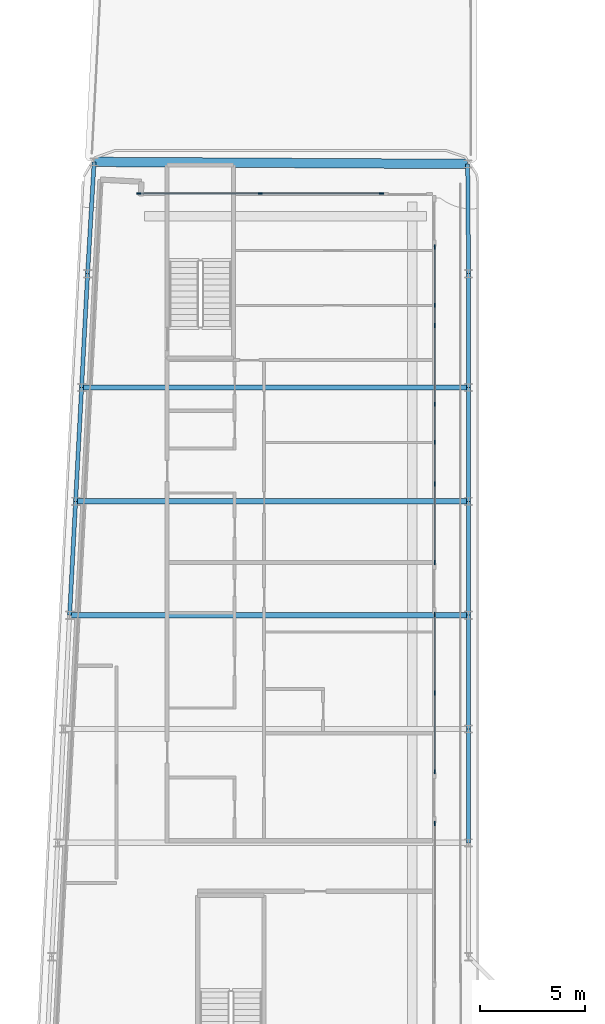
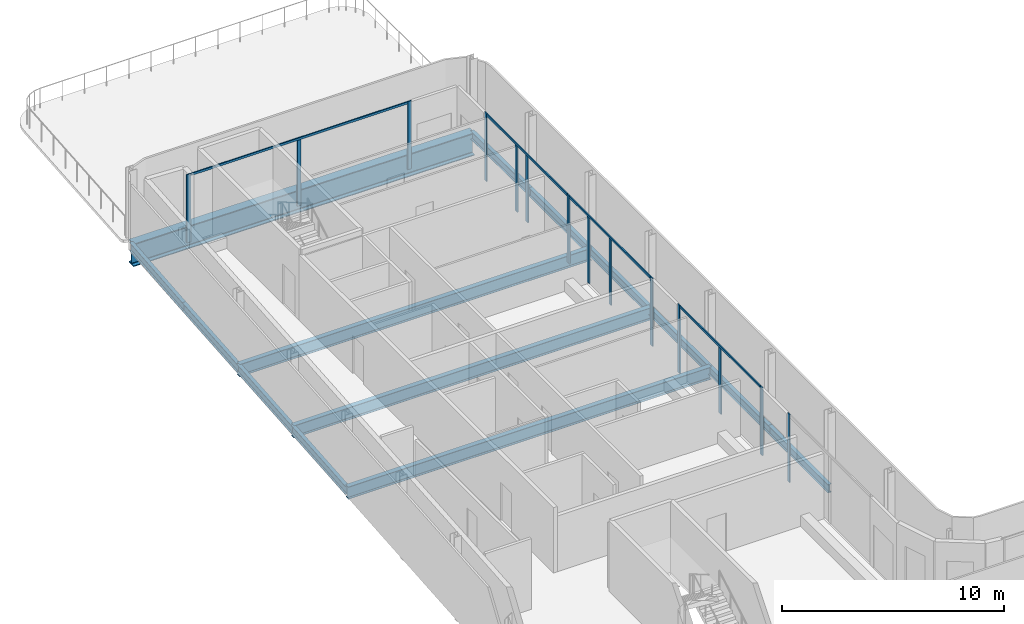
# One storey, part 6 of 15: 18 members, 14 beams, 5 elements without a shape of their own.
"""IFC4 building model written with IfcOpenShell, lengths in metres."""

from ifc_helpers import new_model, si_unit, direction, frame, origin, origin_2d, place, context, subcontext, project, spatial, rectangle, i_section, extrude, material, layer, layer_set, material_profile, profile_set, type_object, element, aggregate, save


model = new_model("IFC4")

# Units and contexts
model_context = context("Model", 3, precision=1e-05, world=origin(), true_north=direction((0.0, 1.0)))
body_context = subcontext(model_context, "Body", "Model", "MODEL_VIEW")
ifc_project = project(units=[si_unit("LENGTHUNIT", "METRE"), si_unit("AREAUNIT", "SQUARE_METRE"), si_unit("VOLUMEUNIT", "CUBIC_METRE"), si_unit("PLANEANGLEUNIT", "RADIAN"), si_unit("MASSUNIT", "GRAM", prefix="KILO")], contexts=[model_context])

# Site, building, storey
site_placement = place(None, origin())
site = spatial("IfcSite", under=ifc_project, at=site_placement, CompositionType="ELEMENT")
building_placement = place(site_placement, origin())
building = spatial("IfcBuilding", under=site, at=building_placement, Name="Kheshtan School and Residences Tower", CompositionType="ELEMENT")
storey_placement = place(building_placement, frame((0.0, 0.0, 338.300048828125)))
storey = spatial("IfcBuildingStorey", under=building, at=storey_placement, Name="L79", CompositionType="ELEMENT", Elevation=338.300048828125)

# Beams
ifc_material_1 = material(Name="Steel ASTM A992 Grade 50", Category="steel")
ifc_material_profile_1 = material_profile(ifc_material_1, i_section(OverallWidth=0.2529296875, OverallDepth=0.677978515625, WebThickness=0.01171875, FlangeThickness=0.016357421875, FilletRadius=0.0146484375, at=origin_2d()), Name="W690x125")
ifc_profile_set_1 = profile_set([ifc_material_profile_1], Name="Steel ASTM A992 Grade 50")
beam_type_1 = type_object("IfcBeamType", Name="Beam FB6 W690x125 ASTM A992 Grade 50", PredefinedType="BEAM", material=ifc_profile_set_1)
beam_1_placement = place(storey_placement, frame((47.60009765625, 72.60009765625, -0.489013671875), z_axis=(-1.0, 0.0, 0.0), x_axis=(0.0, -1.0, 0.0)))
element("IfcBeam", 1, at=beam_1_placement, inside=storey, type_object=beam_type_1, Name="Floor beam C087", PredefinedType="BEAM", context=body_context, shape_type="SweptSolid", body=[
    extrude(i_section(OverallWidth=0.2529296875, OverallDepth=0.677978515625, WebThickness=0.01171875, FlangeThickness=0.016357421875, FilletRadius=0.0146484375, at=origin_2d()), origin(), (0.0, 0.0, 1.0), 18.64208984375),
])
beam_2_placement = place(storey_placement, frame((28.674072265625, 67.199951171875, -0.489013671875), z_axis=(1.0, 0.0, 0.0), x_axis=(0.0, 1.0, 0.0)))
element("IfcBeam", 2, at=beam_2_placement, inside=storey, type_object=beam_type_1, Name="Floor beam C084", PredefinedType="BEAM", context=body_context, shape_type="SweptSolid", body=[
    extrude(i_section(OverallWidth=0.2529296875, OverallDepth=0.677978515625, WebThickness=0.01171875, FlangeThickness=0.016357421875, FilletRadius=0.0146484375, at=origin_2d()), origin(), (0.0, 0.0, 1.0), 18.926025390625),
])
beam_3_placement = place(storey_placement, frame((29.242919921875, 78.0, -0.489013671875), z_axis=(1.0, 0.0, 0.0), x_axis=(0.0, 1.0, 0.0)))
element("IfcBeam", 3, at=beam_3_placement, inside=storey, type_object=beam_type_1, Name="Floor beam C088", PredefinedType="BEAM", context=body_context, shape_type="SweptSolid", body=[
    extrude(i_section(OverallWidth=0.2529296875, OverallDepth=0.677978515625, WebThickness=0.01171875, FlangeThickness=0.016357421875, FilletRadius=0.0146484375, at=origin_2d()), origin(), (0.0, 0.0, 1.0), 18.357177734375),
])
ifc_material_profile_2 = material_profile(ifc_material_1, i_section(OverallWidth=0.18994140625, OverallDepth=0.45703125, WebThickness=0.009033203125, FlangeThickness=0.014404296875, FilletRadius=0.01318359375, at=origin_2d()), Name="W460x74")
ifc_profile_set_2 = profile_set([ifc_material_profile_2], Name="Steel ASTM A992 Grade 50")
beam_type_2 = type_object("IfcBeamType", Name="Beam SP4 W460x74 ASTM A992 Grade 50", PredefinedType="BEAM", material=ifc_profile_set_2)
beam_4_placement = place(storey_placement, frame((47.555908203125, 88.60498046875, -0.378662109375), z_axis=(0.008489375122, -0.999963964606, 0.0), x_axis=(0.999963964606, 0.008489375122, 0.0)))
element("IfcBeam", 4, at=beam_4_placement, inside=storey, type_object=beam_type_2, Name="Spandrel beam C094-C091", PredefinedType="BEAM", context=body_context, shape_type="SweptSolid", body=[
    extrude(i_section(OverallWidth=0.18994140625, OverallDepth=0.45703125, WebThickness=0.009033203125, FlangeThickness=0.014404296875, FilletRadius=0.01318359375, at=origin_2d()), origin(), (0.0, 0.0, 1.0), 5.205322265625),
])
for number, where, z_axis, x_axis, name in (
    (5, (47.60009765625, 83.39990234375, -0.378662109375), (0.0, -1.0, 0.0), (1.0, 0.0, 0.0), "Spandrel beam C091-C089"),
    (6, (47.60009765625, 78.0, -0.378662109375), (0.0, -1.0, 0.0), (1.0, 0.0, 0.0), "Spandrel beam C089-C087"),
):
    element("IfcBeam", number, at=place(storey_placement, frame(where, z_axis=z_axis, x_axis=x_axis)), inside=storey, type_object=beam_type_2, Name=name, PredefinedType="BEAM", context=body_context, shape_type="SweptSolid", body=[
        extrude(i_section(OverallWidth=0.18994140625, OverallDepth=0.45703125, WebThickness=0.009033203125, FlangeThickness=0.014404296875, FilletRadius=0.01318359375, at=origin_2d()), origin(), (0.0, 0.0, 1.0), 5.39990234375),
    ])
beam_5_placement = place(storey_placement, frame((47.60009765625, 72.60009765625, -0.378662109375), z_axis=(0.0, -1.0, 0.0), x_axis=(1.0, 0.0, 0.0)))
element("IfcBeam", 7, at=beam_5_placement, inside=storey, type_object=beam_type_2, Name="Spandrel beam C087-C085", PredefinedType="BEAM", context=body_context, shape_type="SweptSolid", body=[
    extrude(i_section(OverallWidth=0.18994140625, OverallDepth=0.45703125, WebThickness=0.009033203125, FlangeThickness=0.014404296875, FilletRadius=0.01318359375, at=origin_2d()), origin(), (0.0, 0.0, 1.0), 5.400146484375),
])
beam_6_placement = place(storey_placement, frame((47.60009765625, 67.199951171875, -0.378662109375), z_axis=(0.0, -1.0, 0.0), x_axis=(1.0, 0.0, 0.0)))
element("IfcBeam", 8, at=beam_6_placement, inside=storey, type_object=beam_type_2, Name="Spandrel beam C085-C083", PredefinedType="BEAM", context=body_context, shape_type="SweptSolid", body=[
    extrude(i_section(OverallWidth=0.18994140625, OverallDepth=0.45703125, WebThickness=0.009033203125, FlangeThickness=0.014404296875, FilletRadius=0.01318359375, at=origin_2d()), origin(), (0.0, 0.0, 1.0), 5.39990234375),
])
beam_7_placement = place(storey_placement, frame((47.60009765625, 61.800048828125, -0.378662109375), z_axis=(0.0, -1.0, 0.0), x_axis=(1.0, 0.0, 0.0)))
element("IfcBeam", 9, at=beam_7_placement, inside=storey, type_object=beam_type_2, Name="Spandrel beam C083-C081", PredefinedType="BEAM", context=body_context, shape_type="SweptSolid", body=[
    extrude(i_section(OverallWidth=0.18994140625, OverallDepth=0.45703125, WebThickness=0.009033203125, FlangeThickness=0.014404296875, FilletRadius=0.01318359375, at=origin_2d()), origin(), (0.0, 0.0, 1.0), 5.400146484375),
])
beam_8_placement = place(storey_placement, frame((28.674072265625, 67.199951171875, -0.378662109375), z_axis=(0.05250670125, 0.998620571751, 0.0), x_axis=(-0.998620571751, 0.05250670125, 0.0)))
element("IfcBeam", 10, at=beam_8_placement, inside=storey, type_object=beam_type_2, Name="Spandrel beam C084-C086", PredefinedType="BEAM", context=body_context, shape_type="SweptSolid", body=[
    extrude(i_section(OverallWidth=0.18994140625, OverallDepth=0.45703125, WebThickness=0.009033203125, FlangeThickness=0.014404296875, FilletRadius=0.01318359375, at=origin_2d()), origin(), (0.0, 0.0, 1.0), 5.40771484375),
])
for number, where, z_axis, x_axis, name in (
    (11, (28.9580078125, 72.60009765625, -0.378662109375), (0.052689166816, 0.998610961136, 0.0), (-0.998610961136, 0.052689166816, 0.0), "Spandrel beam C086-C088"),
    (12, (29.242919921875, 78.0, -0.378662109375), (0.052554093665, 0.998618078766, 0.0), (-0.998618078766, 0.052554093665, 0.0), "Spandrel beam C088-C090"),
):
    element("IfcBeam", number, at=place(storey_placement, frame(where, z_axis=z_axis, x_axis=x_axis)), inside=storey, type_object=beam_type_2, Name=name, PredefinedType="BEAM", context=body_context, shape_type="SweptSolid", body=[
        extrude(i_section(OverallWidth=0.18994140625, OverallDepth=0.45703125, WebThickness=0.009033203125, FlangeThickness=0.014404296875, FilletRadius=0.01318359375, at=origin_2d()), origin(), (0.0, 0.0, 1.0), 5.407470703125),
    ])
beam_9_placement = place(storey_placement, frame((29.527099609375, 83.39990234375, -0.378662109375), z_axis=(0.058309897593, 0.998298530422, 0.0), x_axis=(-0.998298530422, 0.058309897593, 0.0)))
element("IfcBeam", 13, at=beam_9_placement, inside=storey, type_object=beam_type_2, Name="Spandrel beam C090-C095", PredefinedType="BEAM", context=body_context, shape_type="SweptSolid", body=[
    extrude(i_section(OverallWidth=0.18994140625, OverallDepth=0.45703125, WebThickness=0.009033203125, FlangeThickness=0.014404296875, FilletRadius=0.01318359375, at=origin_2d()), origin(), (0.0, 0.0, 1.0), 5.313232421875),
])

# Curtain wall, members
ifc_material_2 = material(Name="Clear low-e glass in thermally broken aluminium frame", Category="aluminium")
ifc_layer = layer(ifc_material_2, 0.199951171875)
ifc_layer_set = layer_set([ifc_layer], Name="Curtain wall CW-L")
curtain_wall_type = type_object("IfcCurtainWallType", Name="Curtain wall CW-L", PredefinedType="NOTDEFINED", material=ifc_layer_set)
curtain_wall_1_placement = place(storey_placement, origin())
curtain_wall_1 = element("IfcCurtainWall", 14, at=curtain_wall_1_placement, inside=storey, type_object=curtain_wall_type, Name="Curtain wall CWL3", PredefinedType="NOTDEFINED")
ifc_material_3 = material(Name="Thermally broken aluminium, dark bronze anodised", Category="aluminium")
ifc_material_profile_3 = material_profile(ifc_material_3, rectangle(XDim=0.06005859375, YDim=0.199951171875, at=origin_2d()), Name="CW-L mullion 60x200")
ifc_profile_set_3 = profile_set([ifc_material_profile_3], Name="Thermally broken aluminium, dark bronze anodised")
member_type_1 = type_object("IfcMemberType", Name="CW-L mullion 60x200", PredefinedType="MULLION", material=ifc_profile_set_3)
member_1_placement = place(storey_placement, frame((31.9541015625, 87.199951171875, 0.0), z_axis=(0.0, 0.0, 1.0), x_axis=(0.0, 1.0, 0.0)))
member_1 = element("IfcMember", 15, at=member_1_placement, type_object=member_type_1, Name="CWL3 mullion 1", PredefinedType="MULLION", context=body_context, shape_type="SweptSolid", body=[
    extrude(rectangle(XDim=0.06005859375, YDim=0.199951171875, at=origin_2d()), origin(), (0.0, 0.0, 1.0), 3.75),
])
member_2_placement = place(storey_placement, frame((37.7119140625, 87.199951171875, 0.0), z_axis=(0.0, 0.0, 1.0), x_axis=(0.0, 1.0, 0.0)))
member_2 = element("IfcMember", 16, at=member_2_placement, type_object=member_type_1, Name="CWL3 mullion 2", PredefinedType="MULLION", context=body_context, shape_type="SweptSolid", body=[
    extrude(rectangle(XDim=0.06005859375, YDim=0.199951171875, at=origin_2d()), origin(), (0.0, 0.0, 1.0), 3.6298828125),
])
member_3_placement = place(storey_placement, frame((43.469970703125, 87.199951171875, 0.0), z_axis=(0.0, 0.0, 1.0), x_axis=(0.0, 1.0, 0.0)))
member_3 = element("IfcMember", 17, at=member_3_placement, type_object=member_type_1, Name="CWL3 mullion 3", PredefinedType="MULLION", context=body_context, shape_type="SweptSolid", body=[
    extrude(rectangle(XDim=0.06005859375, YDim=0.199951171875, at=origin_2d()), origin(), (0.0, 0.0, 1.0), 3.75),
])

curtain_wall_2_placement = place(storey_placement, origin())
curtain_wall_2 = element("IfcCurtainWall", 18, at=curtain_wall_2_placement, inside=storey, type_object=curtain_wall_type, Name="Curtain wall CWL4", PredefinedType="NOTDEFINED")
member_4_placement = place(storey_placement, frame((46.0, 84.669921875, 0.0), z_axis=(0.0, 0.0, 1.0), x_axis=(1.0, 0.0, 0.0)))
member_4 = element("IfcMember", 19, at=member_4_placement, type_object=member_type_1, Name="CWL4 mullion 1", PredefinedType="MULLION", context=body_context, shape_type="SweptSolid", body=[
    extrude(rectangle(XDim=0.06005859375, YDim=0.199951171875, at=origin_2d()), origin(), (0.0, 0.0, 1.0), 3.75),
])
member_5_placement = place(storey_placement, frame((46.0, 81.89990234375, 0.0), z_axis=(0.0, 0.0, 1.0), x_axis=(1.0, 0.0, 0.0)))
member_5 = element("IfcMember", 20, at=member_5_placement, type_object=member_type_1, Name="CWL4 mullion 2", PredefinedType="MULLION", context=body_context, shape_type="SweptSolid", body=[
    extrude(rectangle(XDim=0.06005859375, YDim=0.199951171875, at=origin_2d()), origin(), (0.0, 0.0, 1.0), 3.6298828125),
])
member_6_placement = place(storey_placement, frame((46.0, 80.941162109375, 0.0), z_axis=(0.0, 0.0, 1.0), x_axis=(1.0, 0.0, 0.0)))
member_6 = element("IfcMember", 21, at=member_6_placement, type_object=member_type_1, Name="CWL4 mullion 3", PredefinedType="MULLION", context=body_context, shape_type="SweptSolid", body=[
    extrude(rectangle(XDim=0.06005859375, YDim=0.199951171875, at=origin_2d()), origin(), (0.0, 0.0, 1.0), 3.6298828125),
])
member_7_placement = place(storey_placement, frame((46.0, 77.21240234375, 0.0), z_axis=(0.0, 0.0, 1.0), x_axis=(1.0, 0.0, 0.0)))
member_7 = element("IfcMember", 22, at=member_7_placement, type_object=member_type_1, Name="CWL4 mullion 4", PredefinedType="MULLION", context=body_context, shape_type="SweptSolid", body=[
    extrude(rectangle(XDim=0.06005859375, YDim=0.199951171875, at=origin_2d()), origin(), (0.0, 0.0, 1.0), 3.75),
])

curtain_wall_3_placement = place(storey_placement, origin())
curtain_wall_3 = element("IfcCurtainWall", 23, at=curtain_wall_3_placement, inside=storey, type_object=curtain_wall_type, Name="Curtain wall CWL4", PredefinedType="NOTDEFINED")
member_8_placement = place(storey_placement, frame((46.0, 75.39990234375, 0.0), z_axis=(0.0, 0.0, 1.0), x_axis=(1.0, 0.0, 0.0)))
member_8 = element("IfcMember", 24, at=member_8_placement, type_object=member_type_1, Name="CWL4 mullion 2", PredefinedType="MULLION", context=body_context, shape_type="SweptSolid", body=[
    extrude(rectangle(XDim=0.06005859375, YDim=0.199951171875, at=origin_2d()), origin(), (0.0, 0.0, 1.0), 3.6298828125),
])
member_9_placement = place(storey_placement, frame((46.0, 73.423828125, 0.0), z_axis=(0.0, 0.0, 1.0), x_axis=(1.0, 0.0, 0.0)))
member_9 = element("IfcMember", 25, at=member_9_placement, type_object=member_type_1, Name="CWL4 mullion 3", PredefinedType="MULLION", context=body_context, shape_type="SweptSolid", body=[
    extrude(rectangle(XDim=0.06005859375, YDim=0.199951171875, at=origin_2d()), origin(), (0.0, 0.0, 1.0), 3.6298828125),
])
member_10_placement = place(storey_placement, frame((46.0, 69.695068359375, 0.0), z_axis=(0.0, 0.0, 1.0), x_axis=(1.0, 0.0, 0.0)))
member_10 = element("IfcMember", 26, at=member_10_placement, type_object=member_type_1, Name="CWL4 mullion 4", PredefinedType="MULLION", context=body_context, shape_type="SweptSolid", body=[
    extrude(rectangle(XDim=0.06005859375, YDim=0.199951171875, at=origin_2d()), origin(), (0.0, 0.0, 1.0), 3.75),
])

curtain_wall_4_placement = place(storey_placement, origin())
curtain_wall_4 = element("IfcCurtainWall", 27, at=curtain_wall_4_placement, inside=storey, type_object=curtain_wall_type, Name="Curtain wall CWL4a", PredefinedType="NOTDEFINED")
member_11_placement = place(storey_placement, frame((46.0, 67.235107421875, 0.0), z_axis=(0.0, 0.0, 1.0), x_axis=(1.0, 0.0, 0.0)))
member_11 = element("IfcMember", 28, at=member_11_placement, type_object=member_type_1, Name="CWL4a mullion 1", PredefinedType="MULLION", context=body_context, shape_type="SweptSolid", body=[
    extrude(rectangle(XDim=0.06005859375, YDim=0.199951171875, at=origin_2d()), origin(), (0.0, 0.0, 1.0), 3.75),
])
member_12_placement = place(storey_placement, frame((46.0, 63.50634765625, 0.0), z_axis=(0.0, 0.0, 1.0), x_axis=(1.0, 0.0, 0.0)))
member_12 = element("IfcMember", 29, at=member_12_placement, type_object=member_type_1, Name="CWL4a mullion 2", PredefinedType="MULLION", context=body_context, shape_type="SweptSolid", body=[
    extrude(rectangle(XDim=0.06005859375, YDim=0.199951171875, at=origin_2d()), origin(), (0.0, 0.0, 1.0), 3.6298828125),
])
member_13_placement = place(storey_placement, frame((46.0, 59.777587890625, 0.0), z_axis=(0.0, 0.0, 1.0), x_axis=(1.0, 0.0, 0.0)))
member_13 = element("IfcMember", 30, at=member_13_placement, type_object=member_type_1, Name="CWL4a mullion 3", PredefinedType="MULLION", context=body_context, shape_type="SweptSolid", body=[
    extrude(rectangle(XDim=0.06005859375, YDim=0.199951171875, at=origin_2d()), origin(), (0.0, 0.0, 1.0), 3.75),
])

# Curtain wall, member
curtain_wall_5_placement = place(storey_placement, origin())
curtain_wall_5 = element("IfcCurtainWall", 31, at=curtain_wall_5_placement, inside=storey, type_object=curtain_wall_type, Name="Curtain wall CWL4a", PredefinedType="NOTDEFINED")
member_14_placement = place(storey_placement, frame((46.0, 57.3173828125, 0.0), z_axis=(0.0, 0.0, 1.0), x_axis=(1.0, 0.0, 0.0)))
member_14 = element("IfcMember", 32, at=member_14_placement, type_object=member_type_1, Name="CWL4a mullion 1", PredefinedType="MULLION", context=body_context, shape_type="SweptSolid", body=[
    extrude(rectangle(XDim=0.06005859375, YDim=0.199951171875, at=origin_2d()), origin(), (0.0, 0.0, 1.0), 3.75),
])
aggregate(curtain_wall_5, [member_14])

# Member
ifc_material_profile_4 = material_profile(ifc_material_3, rectangle(XDim=0.06005859375, YDim=0.1201171875, at=origin_2d()), Name="CW-L transom 60x120")
ifc_profile_set_4 = profile_set([ifc_material_profile_4], Name="Thermally broken aluminium, dark bronze anodised")
member_type_2 = type_object("IfcMemberType", Name="CW-L transom 60x120", PredefinedType="USERDEFINED", material=ifc_profile_set_4)
member_15_placement = place(storey_placement, frame((31.98388671875, 87.199951171875, 3.68994140625), z_axis=(1.0, 0.0, 0.0), x_axis=(0.0, 1.0, 0.0)))
member_15 = element("IfcMember", 33, at=member_15_placement, type_object=member_type_2, Name="CWL3 transom 1", ObjectType="TRANSOM", PredefinedType="USERDEFINED", context=body_context, shape_type="SweptSolid", body=[
    extrude(rectangle(XDim=0.06005859375, YDim=0.1201171875, at=origin_2d()), origin(), (0.0, 0.0, 1.0), 11.4560546875),
])

aggregate(curtain_wall_1, [member_1, member_2, member_3, member_15])

member_16_placement = place(storey_placement, frame((46.0, 84.639892578125, 3.68994140625), z_axis=(0.0, -1.0, 0.0), x_axis=(1.0, 0.0, 0.0)))
member_16 = element("IfcMember", 34, at=member_16_placement, type_object=member_type_2, Name="CWL4 transom 1", ObjectType="TRANSOM", PredefinedType="USERDEFINED", context=body_context, shape_type="SweptSolid", body=[
    extrude(rectangle(XDim=0.06005859375, YDim=0.1201171875, at=origin_2d()), origin(), (0.0, 0.0, 1.0), 7.3974609375),
])

aggregate(curtain_wall_2, [member_4, member_5, member_6, member_7, member_16])

member_17_placement = place(storey_placement, frame((46.0, 77.1826171875, 3.68994140625), z_axis=(0.0, -1.0, 0.0), x_axis=(1.0, 0.0, 0.0)))
member_17 = element("IfcMember", 35, at=member_17_placement, type_object=member_type_2, Name="CWL4 transom 1", ObjectType="TRANSOM", PredefinedType="USERDEFINED", context=body_context, shape_type="SweptSolid", body=[
    extrude(rectangle(XDim=0.06005859375, YDim=0.1201171875, at=origin_2d()), origin(), (0.0, 0.0, 1.0), 7.45751953125),
])

aggregate(curtain_wall_3, [member_8, member_9, member_10, member_17])

member_18_placement = place(storey_placement, frame((46.0, 67.205078125, 3.68994140625), z_axis=(0.0, -1.0, 0.0), x_axis=(1.0, 0.0, 0.0)))
member_18 = element("IfcMember", 36, at=member_18_placement, type_object=member_type_2, Name="CWL4a transom 1", ObjectType="TRANSOM", PredefinedType="USERDEFINED", context=body_context, shape_type="SweptSolid", body=[
    extrude(rectangle(XDim=0.06005859375, YDim=0.1201171875, at=origin_2d()), origin(), (0.0, 0.0, 1.0), 7.3974609375),
])

aggregate(curtain_wall_4, [member_11, member_12, member_13, member_18])

# Beam
ifc_material_profile_5 = material_profile(ifc_material_1, i_section(OverallWidth=0.449951171875, OverallDepth=1.25, WebThickness=0.02490234375, FlangeThickness=0.044921875, FilletRadius=0.03759765625, at=origin_2d()), Name="WWF1250x546")
ifc_profile_set_5 = profile_set([ifc_material_profile_5], Name="Steel ASTM A992 Grade 50")
beam_type_3 = type_object("IfcBeamType", Name="Transfer girder TG4 WWF1250x546 ASTM A992 Grade 50", PredefinedType="BEAM", material=ifc_profile_set_5)
beam_10_placement = place(storey_placement, frame((29.8369140625, 88.7041015625, -0.775146484375), z_axis=(0.999984353621, -0.005593971197, 0.0), x_axis=(0.005593971197, 0.999984353621, 0.0)))
element("IfcBeam", 37, at=beam_10_placement, inside=storey, type_object=beam_type_3, Name="Transfer girder C095-C094", PredefinedType="BEAM", context=body_context, shape_type="SweptSolid", body=[
    extrude(i_section(OverallWidth=0.449951171875, OverallDepth=1.25, WebThickness=0.02490234375, FlangeThickness=0.044921875, FilletRadius=0.03759765625, at=origin_2d()), origin(), (0.0, 0.0, 1.0), 17.71923828125),
])

save(model, "model.ifc")
